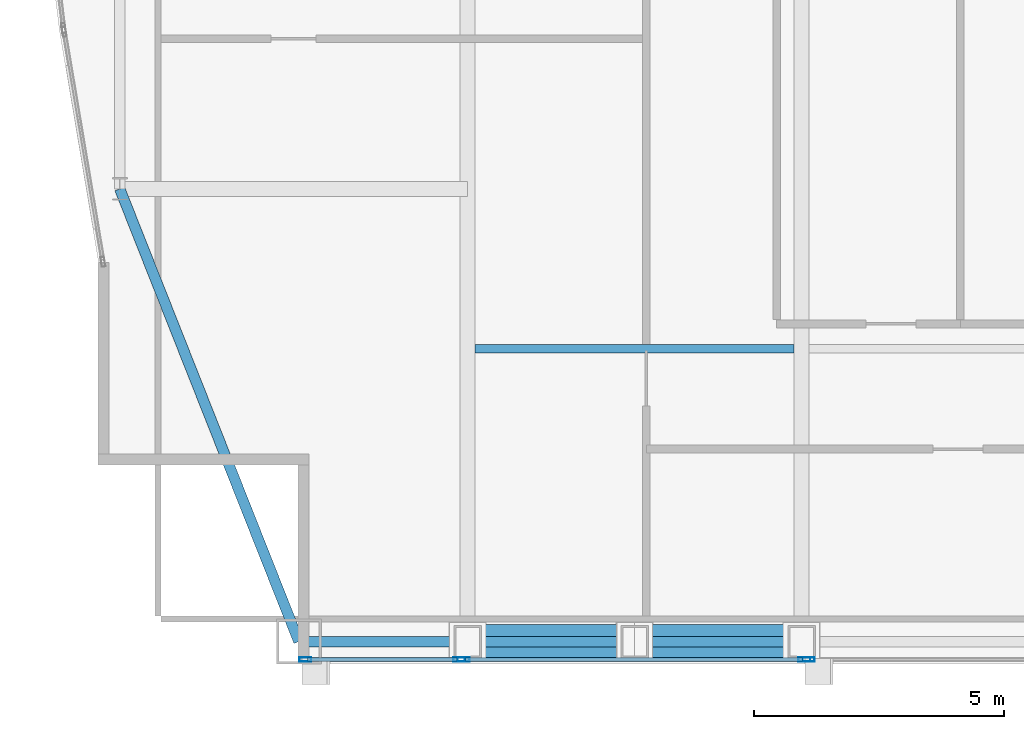
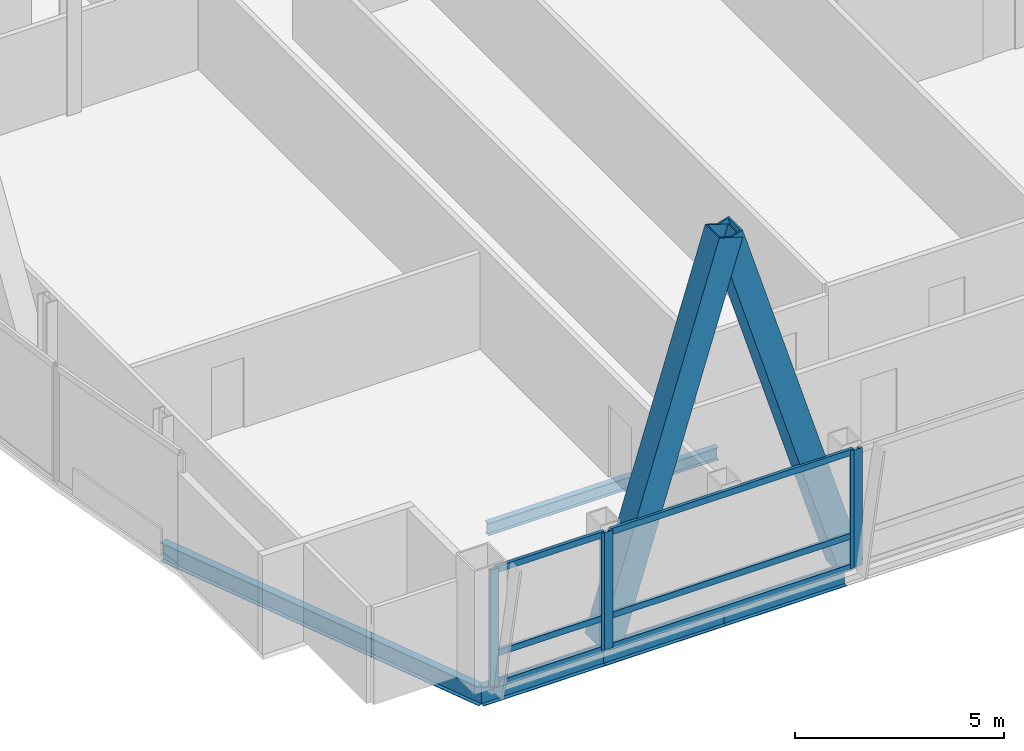
# One storey, part 4 of 29: 13 members, 5 beams, 3 elements without a shape of their own.
"""IFC4 building model written with IfcOpenShell, lengths in metres."""

from ifc_helpers import new_model, si_unit, direction, frame, origin, origin_2d, place, context, subcontext, project, spatial, hollow_rectangle, i_section, extrude, material, material_profile, profile_set, type_object, element, aggregate, save


model = new_model("IFC4")

# Units and contexts
model_context = context("Model", 3, precision=1e-05, world=origin(), true_north=direction((0.0, 1.0)))
body_context = subcontext(model_context, "Body", "Model", "MODEL_VIEW")
ifc_project = project(units=[si_unit("LENGTHUNIT", "METRE"), si_unit("AREAUNIT", "SQUARE_METRE"), si_unit("VOLUMEUNIT", "CUBIC_METRE"), si_unit("PLANEANGLEUNIT", "RADIAN"), si_unit("MASSUNIT", "GRAM", prefix="KILO")], contexts=[model_context])

# Site, building, storey
site_placement = place(None, origin())
site = spatial("IfcSite", under=ifc_project, at=site_placement, CompositionType="ELEMENT")
building_placement = place(site_placement, origin())
building = spatial("IfcBuilding", under=site, at=building_placement, Name="Khoronbel Lancet Exchange", CompositionType="ELEMENT")
storey_placement = place(building_placement, frame((0.0, 0.0, 336.199951171875)))
storey = spatial("IfcBuildingStorey", under=building, at=storey_placement, Name="L87", CompositionType="ELEMENT", Elevation=336.199951171875)

# Beams
ifc_material_1 = material(Name="Steel S355", Category="steel")
ifc_material_profile_1 = material_profile(ifc_material_1, i_section(OverallWidth=0.169921875, OverallDepth=0.360107421875, WebThickness=0.008056640625, FlangeThickness=0.0126953125, at=origin_2d()), Name="IPE 360")
ifc_profile_set_1 = profile_set([ifc_material_profile_1], Name="Steel S355")
beam_type_1 = type_object("IfcBeamType", Name="BM-BJ6", PredefinedType="JOIST", material=ifc_profile_set_1)
beam_1_placement = place(storey_placement, frame((18.375, 16.0, -0.33984375), z_axis=(1.0, 0.0, 0.0), x_axis=(0.0, 1.0, 0.0)))
element("IfcBeam", 1, at=beam_1_placement, inside=storey, type_object=beam_type_1, Name="Level L87 secondary composite joist J01", PredefinedType="JOIST", context=body_context, shape_type="SweptSolid", body=[
    extrude(i_section(OverallWidth=0.169921875, OverallDepth=0.360107421875, WebThickness=0.008056640625, FlangeThickness=0.0126953125, at=origin_2d()), origin(), (0.0, 0.0, 1.0), 6.375),
])
ifc_material_profile_2 = material_profile(ifc_material_1, i_section(OverallWidth=0.2099609375, OverallDepth=0.550048828125, WebThickness=0.010986328125, FlangeThickness=0.01708984375, at=origin_2d()), Name="IPE 550")
ifc_profile_set_2 = profile_set([ifc_material_profile_2], Name="Steel S355")
beam_type_2 = type_object("IfcBeamType", Name="BM-BSP3", PredefinedType="SPANDREL", material=ifc_profile_set_2)
beam_2_placement = place(storey_placement, frame((14.85009765625, 10.14990234375, -0.43505859375), z_axis=(1.0, 0.0, 0.0), x_axis=(0.0, 1.0, 0.0)))
element("IfcBeam", 2, at=beam_2_placement, inside=storey, type_object=beam_type_2, Name="Level L87 perimeter spandrel beam SP01", PredefinedType="SPANDREL", context=body_context, shape_type="SweptSolid", body=[
    extrude(i_section(OverallWidth=0.2099609375, OverallDepth=0.550048828125, WebThickness=0.010986328125, FlangeThickness=0.01708984375, at=origin_2d()), origin(), (0.0, 0.0, 1.0), 3.375),
])
for number, where, z_axis, x_axis, name in (
    (3, (18.22509765625, 10.14990234375, -0.43505859375), (1.0, 0.0, 0.0), (0.0, 1.0, 0.0), "Level L87 perimeter spandrel beam SP02"),
    (4, (21.5625, 10.14990234375, -0.43505859375), (1.0, 0.0, 0.0), (0.0, 1.0, 0.0), "Level L87 perimeter spandrel beam SP03"),
):
    element("IfcBeam", number, at=place(storey_placement, frame(where, z_axis=z_axis, x_axis=x_axis)), inside=storey, type_object=beam_type_2, Name=name, PredefinedType="SPANDREL", context=body_context, shape_type="SweptSolid", body=[
        extrude(i_section(OverallWidth=0.2099609375, OverallDepth=0.550048828125, WebThickness=0.010986328125, FlangeThickness=0.01708984375, at=origin_2d()), origin(), (0.0, 0.0, 1.0), 3.33740234375),
    ])
beam_3_placement = place(storey_placement, frame((11.27001953125, 19.199951171875, -0.43505859375), z_axis=(0.367850095026, -0.92988510451, 0.0), x_axis=(0.92988510451, 0.367850095026, 0.0)))
element("IfcBeam", 5, at=beam_3_placement, inside=storey, type_object=beam_type_2, Name="Level L87 perimeter spandrel beam SP19", PredefinedType="SPANDREL", context=body_context, shape_type="SweptSolid", body=[
    extrude(i_section(OverallWidth=0.2099609375, OverallDepth=0.550048828125, WebThickness=0.010986328125, FlangeThickness=0.01708984375, at=origin_2d()), origin(), (0.0, 0.0, 1.0), 9.732421875),
])

# Curtain wall, members
ifc_material_2 = material(Name="Low-E Solar Control Insulating Glass", Category="glass")
curtain_wall_type = type_object("IfcCurtainWallType", Name="CW-3", PredefinedType="NOTDEFINED", material=ifc_material_2)
curtain_wall_1_placement = place(storey_placement, origin())
curtain_wall_1 = element("IfcCurtainWall", 6, at=curtain_wall_1_placement, inside=storey, type_object=curtain_wall_type, Name="Unitised curtain wall CW-L87-SWV", PredefinedType="NOTDEFINED")
ifc_material_3 = material(Name="Bronze-Anodised Aluminium 6063-T6", Category="aluminium")
ifc_material_profile_3 = material_profile(ifc_material_3, hollow_rectangle(XDim=0.0849609375, YDim=0.239990234375, WallThickness=0.006103515625, at=origin_2d()), Name="ALU MULLION 85x240")
ifc_profile_set_3 = profile_set([ifc_material_profile_3], Name="Bronze-Anodised Aluminium 6063-T6")
member_type_1 = type_object("IfcMemberType", Name="MEM-CWM1", PredefinedType="MULLION", material=ifc_profile_set_3)
member_1_placement = place(storey_placement, frame((14.982421875, 9.7900390625, 0.0), z_axis=(0.0, 0.0, 1.0), x_axis=(0.0, 1.0, 0.0)))
member_1 = element("IfcMember", 7, at=member_1_placement, type_object=member_type_1, Name="CW3 mullion 1", PredefinedType="MULLION", context=body_context, shape_type="SweptSolid", body=[
    extrude(hollow_rectangle(XDim=0.0849609375, YDim=0.239990234375, WallThickness=0.006103515625, at=origin_2d()), origin(), (0.0, 0.0, 1.0), 3.43994140625),
])
member_2_placement = place(storey_placement, frame((18.0576171875, 9.7900390625, 0.0), z_axis=(0.0, 0.0, 1.0), x_axis=(0.0, 1.0, 0.0)))
member_2 = element("IfcMember", 8, at=member_2_placement, type_object=member_type_1, Name="CW3 mullion 2", PredefinedType="MULLION", context=body_context, shape_type="SweptSolid", body=[
    extrude(hollow_rectangle(XDim=0.0849609375, YDim=0.239990234375, WallThickness=0.006103515625, at=origin_2d()), origin(), (0.0, 0.0, 1.0), 3.43994140625),
])

curtain_wall_2_placement = place(storey_placement, origin())
curtain_wall_2 = element("IfcCurtainWall", 9, at=curtain_wall_2_placement, inside=storey, type_object=curtain_wall_type, Name="Unitised curtain wall CW-L87-SWB", PredefinedType="NOTDEFINED")
member_3_placement = place(storey_placement, frame((18.142578125, 9.7900390625, 0.0), z_axis=(0.0, 0.0, 1.0), x_axis=(0.0, 1.0, 0.0)))
member_3 = element("IfcMember", 10, at=member_3_placement, type_object=member_type_1, Name="CW3 mullion 1", PredefinedType="MULLION", context=body_context, shape_type="SweptSolid", body=[
    extrude(hollow_rectangle(XDim=0.0849609375, YDim=0.239990234375, WallThickness=0.006103515625, at=origin_2d()), origin(), (0.0, 0.0, 1.0), 3.43994140625),
])
member_4_placement = place(storey_placement, frame((24.95751953125, 9.7900390625, 0.0), z_axis=(0.0, 0.0, 1.0), x_axis=(0.0, 1.0, 0.0)))
member_4 = element("IfcMember", 11, at=member_4_placement, type_object=member_type_1, Name="CW3 mullion 2", PredefinedType="MULLION", context=body_context, shape_type="SweptSolid", body=[
    extrude(hollow_rectangle(XDim=0.0849609375, YDim=0.239990234375, WallThickness=0.006103515625, at=origin_2d()), origin(), (0.0, 0.0, 1.0), 3.43994140625),
])

# Curtain wall, member
curtain_wall_3_placement = place(storey_placement, origin())
curtain_wall_3 = element("IfcCurtainWall", 12, at=curtain_wall_3_placement, inside=storey, type_object=curtain_wall_type, Name="Unitised curtain wall CW-L87-SCV", PredefinedType="NOTDEFINED")
member_5_placement = place(storey_placement, frame((25.04248046875, 9.7900390625, 0.0), z_axis=(0.0, 0.0, 1.0), x_axis=(0.0, 1.0, 0.0)))
member_5 = element("IfcMember", 13, at=member_5_placement, type_object=member_type_1, Name="CW3 mullion 1", PredefinedType="MULLION", context=body_context, shape_type="SweptSolid", body=[
    extrude(hollow_rectangle(XDim=0.0849609375, YDim=0.239990234375, WallThickness=0.006103515625, at=origin_2d()), origin(), (0.0, 0.0, 1.0), 3.43994140625),
])
aggregate(curtain_wall_3, [member_5])

# Member
ifc_material_profile_4 = material_profile(ifc_material_3, hollow_rectangle(XDim=0.0849609375, YDim=0.179931640625, WallThickness=0.0048828125, at=origin_2d()), Name="ALU TRANSOM 85x180")
ifc_profile_set_4 = profile_set([ifc_material_profile_4], Name="Bronze-Anodised Aluminium 6063-T6")
member_type_2 = type_object("IfcMemberType", Name="MEM-CWT1", PredefinedType="USERDEFINED", material=ifc_profile_set_4)
member_6_placement = place(storey_placement, frame((15.02490234375, 9.7900390625, 0.04248046875), z_axis=(1.0, 0.0, 0.0), x_axis=(0.0, 1.0, 0.0)))
member_6 = element("IfcMember", 14, at=member_6_placement, type_object=member_type_2, Name="CW3 transom 1.1", ObjectType="TRANSOM", PredefinedType="USERDEFINED", context=body_context, shape_type="SweptSolid", body=[
    extrude(hollow_rectangle(XDim=0.0849609375, YDim=0.179931640625, WallThickness=0.0048828125, at=origin_2d()), origin(), (0.0, 0.0, 1.0), 2.989990234375),
])

member_7_placement = place(storey_placement, frame((15.02490234375, 9.7900390625, 0.949951171875), z_axis=(1.0, 0.0, 0.0), x_axis=(0.0, 1.0, 0.0)))
member_7 = element("IfcMember", 15, at=member_7_placement, type_object=member_type_2, Name="CW3 transom 1.2", ObjectType="TRANSOM", PredefinedType="USERDEFINED", context=body_context, shape_type="SweptSolid", body=[
    extrude(hollow_rectangle(XDim=0.0849609375, YDim=0.179931640625, WallThickness=0.0048828125, at=origin_2d()), origin(), (0.0, 0.0, 1.0), 2.989990234375),
])

member_8_placement = place(storey_placement, frame((15.02490234375, 9.7900390625, 3.3974609375), z_axis=(1.0, 0.0, 0.0), x_axis=(0.0, 1.0, 0.0)))
member_8 = element("IfcMember", 16, at=member_8_placement, type_object=member_type_2, Name="CW3 transom 1.3", ObjectType="TRANSOM", PredefinedType="USERDEFINED", context=body_context, shape_type="SweptSolid", body=[
    extrude(hollow_rectangle(XDim=0.0849609375, YDim=0.179931640625, WallThickness=0.0048828125, at=origin_2d()), origin(), (0.0, 0.0, 1.0), 2.989990234375),
])

aggregate(curtain_wall_1, [member_1, member_2, member_6, member_7, member_8])

member_9_placement = place(storey_placement, frame((18.18505859375, 9.7900390625, 0.04248046875), z_axis=(1.0, 0.0, 0.0), x_axis=(0.0, 1.0, 0.0)))
member_9 = element("IfcMember", 17, at=member_9_placement, type_object=member_type_2, Name="CW3 transom 1.1", ObjectType="TRANSOM", PredefinedType="USERDEFINED", context=body_context, shape_type="SweptSolid", body=[
    extrude(hollow_rectangle(XDim=0.0849609375, YDim=0.179931640625, WallThickness=0.0048828125, at=origin_2d()), origin(), (0.0, 0.0, 1.0), 6.72998046875),
])

member_10_placement = place(storey_placement, frame((18.18505859375, 9.7900390625, 0.949951171875), z_axis=(1.0, 0.0, 0.0), x_axis=(0.0, 1.0, 0.0)))
member_10 = element("IfcMember", 18, at=member_10_placement, type_object=member_type_2, Name="CW3 transom 1.2", ObjectType="TRANSOM", PredefinedType="USERDEFINED", context=body_context, shape_type="SweptSolid", body=[
    extrude(hollow_rectangle(XDim=0.0849609375, YDim=0.179931640625, WallThickness=0.0048828125, at=origin_2d()), origin(), (0.0, 0.0, 1.0), 6.72998046875),
])

member_11_placement = place(storey_placement, frame((18.18505859375, 9.7900390625, 3.3974609375), z_axis=(1.0, 0.0, 0.0), x_axis=(0.0, 1.0, 0.0)))
member_11 = element("IfcMember", 19, at=member_11_placement, type_object=member_type_2, Name="CW3 transom 1.3", ObjectType="TRANSOM", PredefinedType="USERDEFINED", context=body_context, shape_type="SweptSolid", body=[
    extrude(hollow_rectangle(XDim=0.0849609375, YDim=0.179931640625, WallThickness=0.0048828125, at=origin_2d()), origin(), (0.0, 0.0, 1.0), 6.72998046875),
])

aggregate(curtain_wall_2, [member_3, member_4, member_9, member_10, member_11])

# Members
ifc_material_4 = material(Name="Steel S460", Category="steel")
ifc_material_profile_5 = material_profile(ifc_material_4, hollow_rectangle(XDim=0.679931640625, YDim=0.679931640625, WallThickness=0.044921875, at=origin_2d()), Name="BOX 680x680x45")
ifc_profile_set_5 = profile_set([ifc_material_profile_5], Name="Steel S460")
member_type_3 = type_object("IfcMemberType", Name="MEM-MB3", PredefinedType="BRACE", material=ifc_profile_set_5)
for number, where, z_axis, x_axis, name in (
    (20, (18.22509765625, 10.14990234375, 0.0), (0.295242108906, 0.0, 0.955422470496), (0.0, 1.0, 0.0), "Perimeter lancet brace tier 30 S-W-L"),
    (21, (24.89990234375, 10.14990234375, 0.0), (-0.295242108906, 0.0, 0.955422470496), (0.0, -1.0, 0.0), "Perimeter lancet brace tier 30 S-W-R"),
):
    element("IfcMember", number, at=place(storey_placement, frame(where, z_axis=z_axis, x_axis=x_axis)), inside=storey, type_object=member_type_3, Name=name, PredefinedType="BRACE", context=body_context, shape_type="SweptSolid", body=[
        extrude(hollow_rectangle(XDim=0.679931640625, YDim=0.679931640625, WallThickness=0.044921875, at=origin_2d()), origin(), (0.0, 0.0, 1.0), 11.303955078125),
    ])

save(model, "model.ifc")
